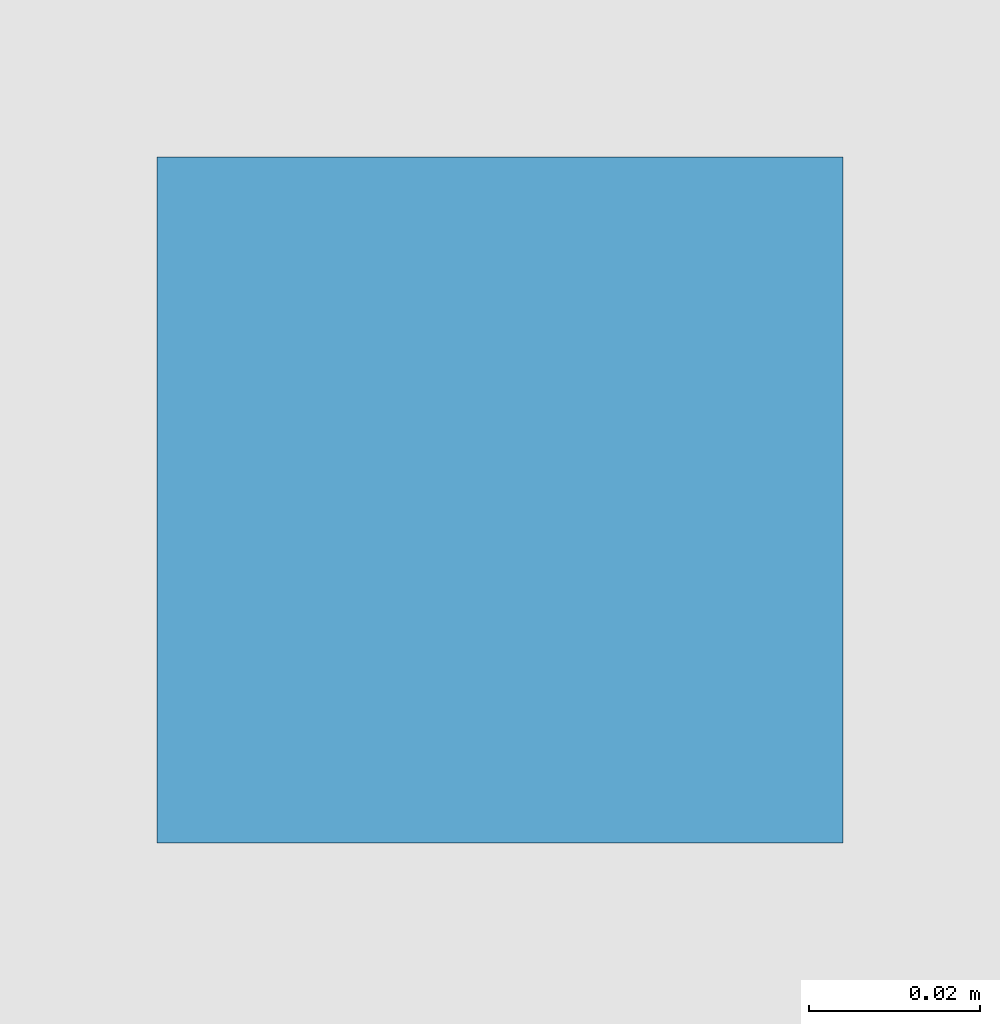
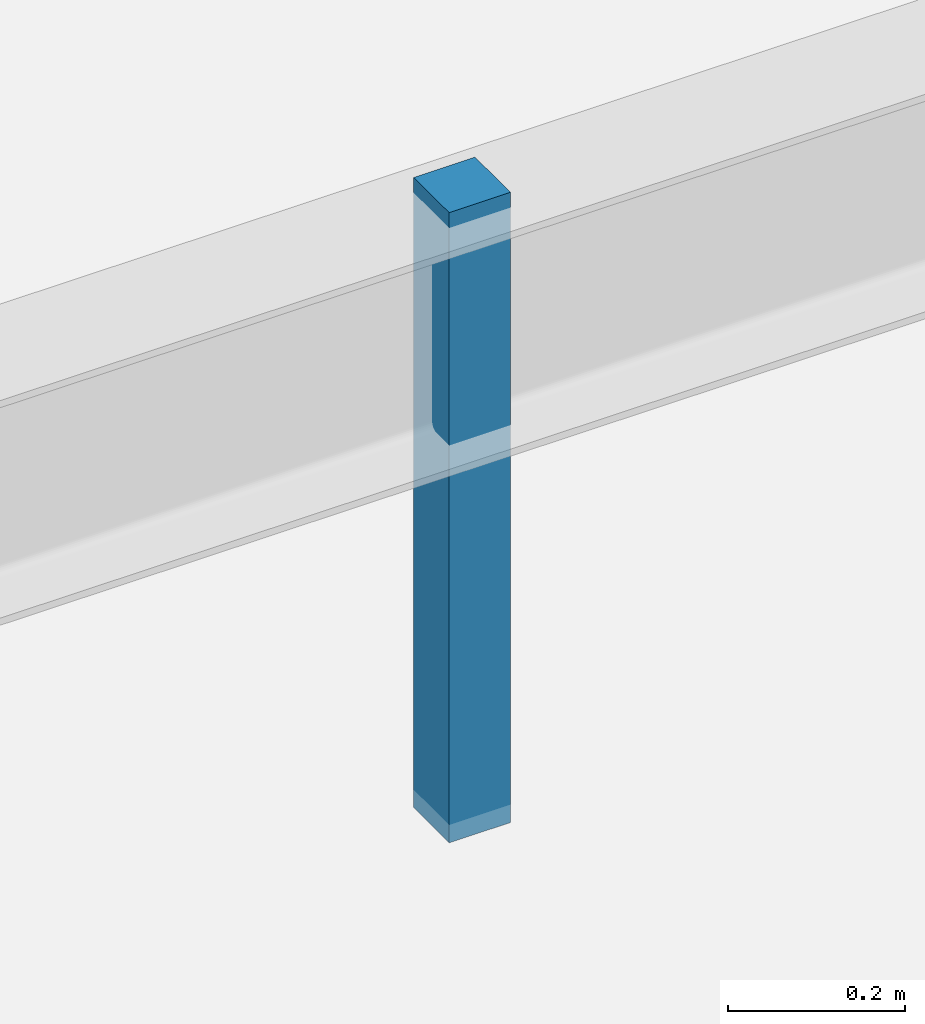
# One storey, part 37 of 42: 1 discrete accessory.
"""IFC4 building model written with IfcOpenShell, lengths in metres."""

from ifc_helpers import new_model, si_unit, direction, frame, origin, origin_2d, place, context, subcontext, project, spatial, rectangle, extrude, material, type_object, element, save


model = new_model("IFC4")

# Units and contexts
model_context = context("Model", 3, precision=1e-05, world=origin(), true_north=direction((0.0, 1.0)))
body_context = subcontext(model_context, "Body", "Model", "MODEL_VIEW")
ifc_project = project(units=[si_unit("LENGTHUNIT", "METRE"), si_unit("AREAUNIT", "SQUARE_METRE"), si_unit("VOLUMEUNIT", "CUBIC_METRE"), si_unit("PLANEANGLEUNIT", "RADIAN"), si_unit("MASSUNIT", "GRAM", prefix="KILO")], contexts=[model_context])

# Site, building, storey
site_placement = place(None, origin())
site = spatial("IfcSite", under=ifc_project, at=site_placement, CompositionType="ELEMENT")
building_placement = place(site_placement, origin())
building = spatial("IfcBuilding", under=site, at=building_placement, Name="Solmirada Galleria", CompositionType="ELEMENT")
storey_placement = place(building_placement, frame((0.0, 0.0, 28.39990234375)))
storey = spatial("IfcBuildingStorey", under=building, at=storey_placement, Name="L06", CompositionType="ELEMENT", Elevation=28.39990234375)

# Discrete accessory
ifc_material = material(Name="Steel S355 / ASTM A992 Grade 50", Category="steel")
discrete_accessory_type = type_object("IfcDiscreteAccessoryType", Name="ACC-CEIL-HANGER", PredefinedType="BRACKET", material=ifc_material)
discrete_accessory_placement = place(storey_placement, frame((140.0, 92.0, 3.449951171875), z_axis=(0.0, 0.0, 1.0), x_axis=(1.0, 0.0, 0.0)))
element("IfcDiscreteAccessory", 1, at=discrete_accessory_placement, inside=storey, type_object=discrete_accessory_type, Name="Ceiling suspension hanger L06-3", PredefinedType="BRACKET", context=body_context, shape_type="SweptSolid", body=[
    extrude(rectangle(XDim=0.080078125, YDim=0.080078125, at=origin_2d()), origin(), (0.0, 0.0, 1.0), 0.8701171875),
])

save(model, "model.ifc")
